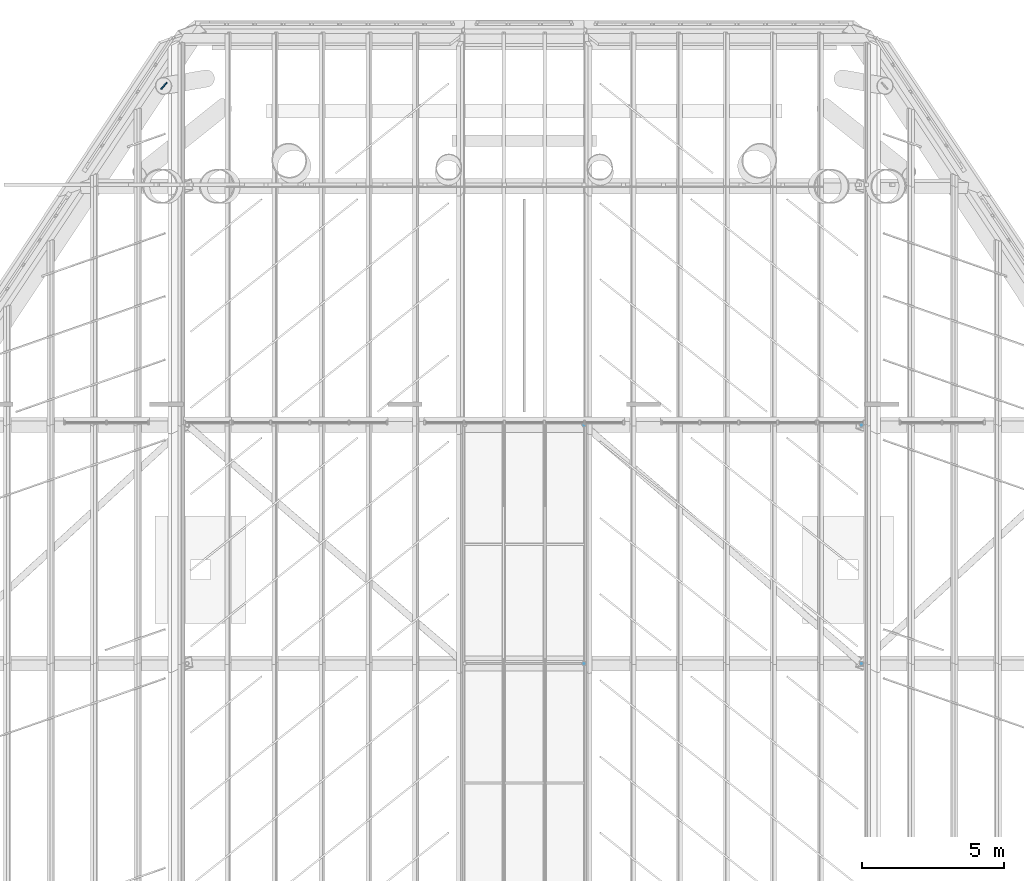
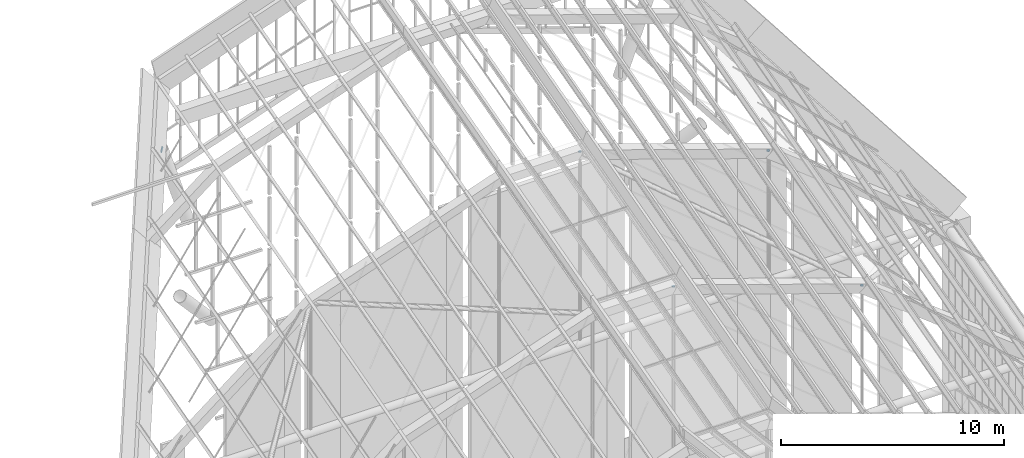
# One storey, part 98 of 126: 5 discrete accessories.
"""IFC4 building model written with IfcOpenShell, lengths in metres."""

from ifc_helpers import new_model, si_unit, direction, frame, origin, origin_2d, place, context, subcontext, project, spatial, rectangle, circle, extrude, material, material_profile, profile_set, type_object, element, save


model = new_model("IFC4")

# Units and contexts
model_context = context("Model", 3, precision=1e-05, world=origin(), true_north=direction((0.0, 1.0)))
body_context = subcontext(model_context, "Body", "Model", "MODEL_VIEW")
ifc_project = project(units=[si_unit("LENGTHUNIT", "METRE"), si_unit("AREAUNIT", "SQUARE_METRE"), si_unit("VOLUMEUNIT", "CUBIC_METRE"), si_unit("PLANEANGLEUNIT", "RADIAN"), si_unit("MASSUNIT", "GRAM", prefix="KILO")], contexts=[model_context])

# Site, building, storey
site_placement = place(None, origin())
site = spatial("IfcSite", under=ifc_project, at=site_placement, CompositionType="ELEMENT")
building_placement = place(site_placement, origin())
building = spatial("IfcBuilding", under=site, at=building_placement, Name="Sava Quay Ferry Terminal", CompositionType="ELEMENT")
storey_placement = place(building_placement, frame((0.0, 0.0, 15.0)))
storey = spatial("IfcBuildingStorey", under=building, at=storey_placement, Name="L03", CompositionType="ELEMENT", Elevation=15.0)

# Discrete accessories
ifc_material_1 = material(Name="Steel S355", Category="steel")
ifc_material_profile_1 = material_profile(ifc_material_1, rectangle(XDim=0.300048828125, YDim=0.030029296875, at=origin_2d()), Name="Plate 300 x 30")
ifc_profile_set_1 = profile_set([ifc_material_profile_1], Name="Steel S355")
discrete_accessory_type_1 = type_object("IfcDiscreteAccessoryType", Name="Brace gusset plate 30 x 300", PredefinedType="BRACKET", material=ifc_profile_set_1)
discrete_accessory_placement = place(storey_placement, frame((50.3330078125, 112.73876953125, 24.138427734375), z_axis=(-0.309802901157, -0.054525310604, 0.949236089146), x_axis=(-0.63886763871, -0.727462047396, -0.250294046688)))
element("IfcDiscreteAccessory", 1, at=discrete_accessory_placement, inside=storey, type_object=discrete_accessory_type_1, Name="Departure hall prow knee brace L2 gusset plate", PredefinedType="BRACKET", context=body_context, shape_type="SweptSolid", body=[
    extrude(rectangle(XDim=0.300048828125, YDim=0.030029296875, at=origin_2d()), origin(), (0.0, 0.0, 1.0), 0.098388671875),
])
ifc_material_2 = material(Name="Steel S355", Category="steel")
ifc_material_profile_2 = material_profile(ifc_material_2, circle(Radius=0.06982421875, at=origin_2d()), Name="Plate 139.7 dia x 20")
ifc_profile_set_2 = profile_set([ifc_material_profile_2], Name="Steel S355")
discrete_accessory_type_2 = type_object("IfcDiscreteAccessoryType", Name="Tube end plate 139.7", PredefinedType="ANCHORPLATE", material=ifc_profile_set_2)
for number, where, z_axis, x_axis, name in (
    (2, (65.10009765625, 92.39990234375, 23.82421875), (0.0, 0.0, 1.0), (1.0, 0.0, 0.0), "End plate Departure hall tie hanger R5 V3"),
    (3, (74.8701171875, 92.39990234375, 20.460205078125), (0.0, 0.0, 1.0), (1.0, 0.0, 0.0), "End plate Departure hall tie hanger R5 V4"),
    (4, (65.10009765625, 100.800048828125, 26.122314453125), (0.0, 0.0, 1.0), (1.0, 0.0, 0.0), "End plate Departure hall tie hanger R6 V3"),
    (5, (74.8701171875, 100.800048828125, 22.758056640625), (0.0, 0.0, 1.0), (1.0, 0.0, 0.0), "End plate Departure hall tie hanger R6 V4"),
):
    element("IfcDiscreteAccessory", number, at=place(storey_placement, frame(where, z_axis=z_axis, x_axis=x_axis)), inside=storey, type_object=discrete_accessory_type_2, Name=name, PredefinedType="ANCHORPLATE", context=body_context, shape_type="SweptSolid", body=[
        extrude(circle(Radius=0.06982421875, at=origin_2d()), origin(), (0.0, 0.0, 1.0), 0.02001953125),
    ])

save(model, "model.ifc")
